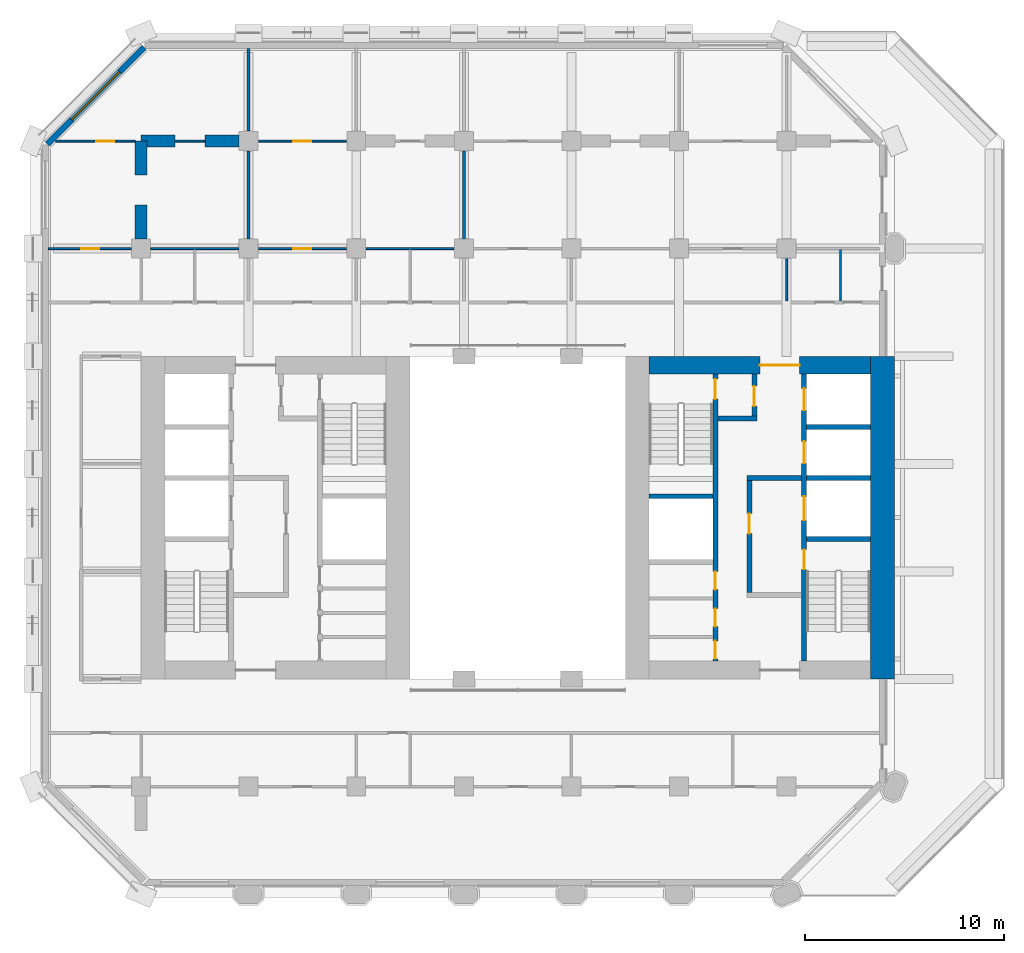
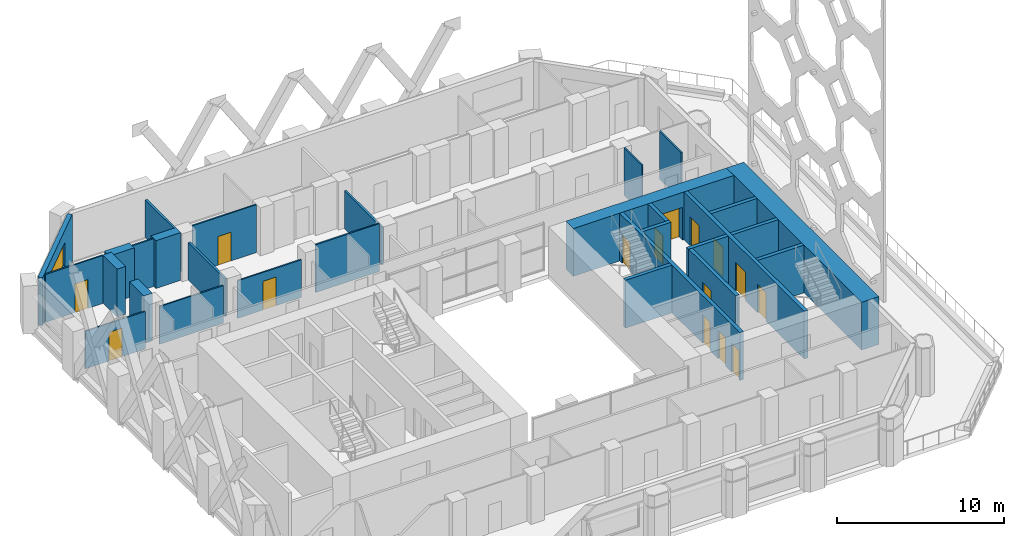
# One storey, part 9 of 14: 29 walls, 15 doors, 1 window, 16 openings.
"""IFC4 building model written with IfcOpenShell, lengths in metres."""

from ifc_helpers import new_model, si_unit, direction, frame, frame_2d, origin, place, context, subcontext, project, spatial, rectangle, extrude, material, layer, layer_set, type_object, element, fill, save


model = new_model("IFC4")

# Units and contexts
model_context = context("Model", 3, precision=1e-05, world=origin(), true_north=direction((0.0, 1.0)))
body_context = subcontext(model_context, "Body", "Model", "MODEL_VIEW")
ifc_project = project(units=[si_unit("LENGTHUNIT", "METRE"), si_unit("AREAUNIT", "SQUARE_METRE"), si_unit("VOLUMEUNIT", "CUBIC_METRE"), si_unit("PLANEANGLEUNIT", "RADIAN"), si_unit("MASSUNIT", "GRAM", prefix="KILO")], contexts=[model_context])

# Site, building, storey
site_placement = place(None, origin())
site = spatial("IfcSite", under=ifc_project, at=site_placement, CompositionType="ELEMENT")
building_placement = place(site_placement, origin())
building = spatial("IfcBuilding", under=site, at=building_placement, Name="Tabaq Tower and Sports Hall", CompositionType="ELEMENT")
storey_placement = place(building_placement, frame((0.0, 0.0, 95.39990234375)))
storey = spatial("IfcBuildingStorey", under=building, at=storey_placement, Name="L22", CompositionType="ELEMENT", Elevation=95.39990234375)

# Wall
ifc_material_1 = material(Name="Concrete C60/75", Category="concrete")
ifc_layer_1 = layer(ifc_material_1, 1.199951171875)
ifc_layer_set_1 = layer_set([ifc_layer_1], Name="Core wall 1200 Concrete C60/75")
wall_type_1 = type_object("IfcWallType", Name="Core wall 1200 Concrete C60/75", PredefinedType="SOLIDWALL", material=ifc_layer_set_1)
wall_1_placement = place(storey_placement, frame((42.60009765625, 32.39990234375, 0.0), z_axis=(0.0, 0.0, 1.0), x_axis=(0.0, -1.0, 0.0)))
element("IfcWall", 1, at=wall_1_placement, inside=storey, type_object=wall_type_1, Name="Core wall E L22", PredefinedType="SOLIDWALL", context=body_context, shape_type="SweptSolid", body=[
    extrude(rectangle(XDim=16.199951171875, YDim=1.199951171875, at=frame_2d((8.10009765625, 0.0))), origin(), (0.0, 0.0, 1.0), 3.5),
])

# Wall, opening, door
ifc_material_2 = material(Name="Concrete C60/75", Category="concrete")
ifc_layer_2 = layer(ifc_material_2, 0.89990234375)
ifc_layer_set_2 = layer_set([ifc_layer_2], Name="Core wall 900 Concrete C60/75")
wall_type_2 = type_object("IfcWallType", Name="Core wall 900 Concrete C60/75", PredefinedType="SOLIDWALL", material=ifc_layer_set_2)
wall_2_placement = place(storey_placement, frame((30.89990234375, 31.949951171875, 0.0), z_axis=(0.0, 0.0, 1.0), x_axis=(1.0, 0.0, 0.0)))
wall_2 = element("IfcWall", 2, at=wall_2_placement, inside=storey, type_object=wall_type_2, Name="Core wall E L22", PredefinedType="SOLIDWALL", context=body_context, shape_type="SweptSolid", body=[
    extrude(rectangle(XDim=11.10009765625, YDim=0.89990234375, at=frame_2d((5.550048828125, 0.0))), origin(), (0.0, 0.0, 1.0), 3.5),
])
opening_1_placement = place(wall_2_placement, frame((5.550048828125, 0.0, 0.0)))
opening_1 = element("IfcOpeningElement", 3, at=opening_1_placement, cuts=wall_2, Name="Opening PD-EL22-02", PredefinedType="OPENING", context=body_context, shape_type="SweptSolid", body=[
    extrude(rectangle(XDim=2.0, YDim=2.39990234375, at=frame_2d((1.0, 1.199951171875))), frame((0.0, 0.449951171875, 0.0), z_axis=(0.0, -1.0, 0.0), x_axis=(1.0, 0.0, 0.0)), (0.0, 0.0, 1.0), 0.89990234375),
])
ifc_material_3 = material(Name="Steel fire door", Category="steel")
door_type_1 = type_object("IfcDoorType", Name="Core entrance door 2000", OperationType="DOUBLE_DOOR_SINGLE_SWING", PredefinedType="DOOR", material=ifc_material_3)
door_1_placement = place(opening_1_placement, origin())
door_1 = element("IfcDoor", 4, at=door_1_placement, inside=storey, type_object=door_type_1, Name="Core entrance north E L22", OperationType="DOUBLE_DOOR_SINGLE_SWING", OverallHeight=2.39990234375, OverallWidth=2.0, PredefinedType="DOOR", context=body_context, shape_type="SweptSolid", body=[
    extrude(rectangle(XDim=2.0, YDim=2.39990234375, at=frame_2d((1.0, 1.199951171875))), frame((0.0, 0.02490234375, 0.0), z_axis=(0.0, -1.0, 0.0), x_axis=(1.0, 0.0, 0.0)), (0.0, 0.0, 1.0), 0.050048828125),
])
fill(opening_1, door_1)

ifc_material_4 = material(Name="Gypsum board on steel studs", Category="steel")
ifc_layer_3 = layer(ifc_material_4, 0.10009765625)
ifc_layer_set_3 = layer_set([ifc_layer_3], Name="Partition 100 Gypsum board")
wall_type_3 = type_object("IfcWallType", Name="Partition 100 Gypsum board", PredefinedType="PARTITIONING", material=ifc_layer_set_3)
wall_3_placement = place(storey_placement, frame((0.7509765625, 37.800048828125, 0.0), z_axis=(0.0, 0.0, 1.0), x_axis=(1.0, 0.0, 0.0)))
wall_3 = element("IfcWall", 5, at=wall_3_placement, inside=storey, type_object=wall_type_3, Name="Partition wall L22", PredefinedType="PARTITIONING", context=body_context, shape_type="SweptSolid", body=[
    extrude(rectangle(XDim=4.154052734375, YDim=0.10009765625, at=frame_2d((2.0771484375, 0.0))), origin(), (0.0, 0.0, 1.0), 2.75),
])
opening_2_placement = place(wall_3_placement, frame((1.648193359375, 0.0, 0.0)))
opening_2 = element("IfcOpeningElement", 6, at=opening_2_placement, cuts=wall_3, Name="Opening L22-025", PredefinedType="OPENING", context=body_context, shape_type="SweptSolid", body=[
    extrude(rectangle(XDim=0.89990234375, YDim=2.10009765625, at=frame_2d((0.449951171875, 1.050048828125))), frame((0.0, 0.050048828125, 0.0), z_axis=(0.0, -1.0, 0.0), x_axis=(1.0, 0.0, 0.0)), (0.0, 0.0, 1.0), 0.10009765625),
])
ifc_material_5 = material(Name="Timber leaf in steel frame", Category="steel")
door_type_2 = type_object("IfcDoorType", Name="Internal door 900 right hand", OperationType="SINGLE_SWING_RIGHT", PredefinedType="DOOR", material=ifc_material_5)
door_2_placement = place(opening_2_placement, origin())
door_2 = element("IfcDoor", 7, at=door_2_placement, inside=storey, type_object=door_type_2, Name="Internal door L22-025", OperationType="SINGLE_SWING_RIGHT", OverallHeight=2.10009765625, OverallWidth=0.89990234375, PredefinedType="DOOR", context=body_context, shape_type="SweptSolid", body=[
    extrude(rectangle(XDim=0.89990234375, YDim=2.10009765625, at=frame_2d((0.449951171875, 1.050048828125))), frame((0.0, 0.02490234375, 0.0), z_axis=(0.0, -1.0, 0.0), x_axis=(1.0, 0.0, 0.0)), (0.0, 0.0, 1.0), 0.050048828125),
])
fill(opening_2, door_2)

# Walls
wall_4_placement = place(storey_placement, frame((10.304931640625, 37.800048828125, 0.0), z_axis=(0.0, 0.0, 1.0), x_axis=(-1.0, 0.0, 0.0)))
element("IfcWall", 8, at=wall_4_placement, inside=storey, type_object=wall_type_3, Name="Partition wall L22", PredefinedType="PARTITIONING", context=body_context, shape_type="SweptSolid", body=[
    extrude(rectangle(XDim=4.409912109375, YDim=0.10009765625, at=frame_2d((2.205078125, 0.0))), origin(), (0.0, 0.0, 1.0), 2.75),
])
wall_5_placement = place(storey_placement, frame((8.612548828125, 43.199951171875, 0.0), z_axis=(0.0, 0.0, 1.0), x_axis=(-1.0, 0.0, 0.0)))
element("IfcWall", 9, at=wall_5_placement, inside=storey, type_object=wall_type_3, Name="Partition wall L22", PredefinedType="PARTITIONING", context=body_context, shape_type="SweptSolid", body=[
    extrude(rectangle(XDim=1.5, YDim=0.10009765625, at=frame_2d((0.75, 0.0))), origin(), (0.0, 0.0, 1.0), 3.5),
])

# Wall, opening, door
wall_6_placement = place(storey_placement, frame((5.09912109375, 43.199951171875, 0.0), z_axis=(0.0, 0.0, 1.0), x_axis=(-1.0, 0.0, 0.0)))
wall_6 = element("IfcWall", 10, at=wall_6_placement, inside=storey, type_object=wall_type_3, Name="Partition wall L22", PredefinedType="PARTITIONING", context=body_context, shape_type="SweptSolid", body=[
    extrude(rectangle(XDim=3.987060546875, YDim=0.10009765625, at=frame_2d((1.99365234375, 0.0))), origin(), (0.0, 0.0, 1.0), 3.5),
])
opening_3_placement = place(wall_6_placement, frame((1.049072265625, 0.0, 0.0)))
opening_3 = element("IfcOpeningElement", 11, at=opening_3_placement, cuts=wall_6, Name="Opening L22-011", PredefinedType="OPENING", context=body_context, shape_type="SweptSolid", body=[
    extrude(rectangle(XDim=0.89990234375, YDim=2.10009765625, at=frame_2d((0.449951171875, 1.050048828125))), frame((0.0, 0.050048828125, 0.0), z_axis=(0.0, -1.0, 0.0), x_axis=(1.0, 0.0, 0.0)), (0.0, 0.0, 1.0), 0.10009765625),
])
ifc_material_6 = material(Name="Timber leaf in steel frame", Category="steel")
door_type_3 = type_object("IfcDoorType", Name="Internal door 900 left hand", OperationType="SINGLE_SWING_LEFT", PredefinedType="DOOR", material=ifc_material_6)
door_3_placement = place(opening_3_placement, origin())
door_3 = element("IfcDoor", 12, at=door_3_placement, inside=storey, type_object=door_type_3, Name="Internal door L22-011", OperationType="SINGLE_SWING_LEFT", OverallHeight=2.10009765625, OverallWidth=0.89990234375, PredefinedType="DOOR", context=body_context, shape_type="SweptSolid", body=[
    extrude(rectangle(XDim=0.89990234375, YDim=2.10009765625, at=frame_2d((0.449951171875, 1.050048828125))), frame((0.0, 0.02490234375, 0.0), z_axis=(0.0, -1.0, 0.0), x_axis=(1.0, 0.0, 0.0)), (0.0, 0.0, 1.0), 0.050048828125),
])
fill(opening_3, door_3)

wall_7_placement = place(storey_placement, frame((15.705078125, 37.800048828125, 0.0), z_axis=(0.0, 0.0, 1.0), x_axis=(-1.0, 0.0, 0.0)))
wall_7 = element("IfcWall", 13, at=wall_7_placement, inside=storey, type_object=wall_type_3, Name="Partition wall L22", PredefinedType="PARTITIONING", context=body_context, shape_type="SweptSolid", body=[
    extrude(rectangle(XDim=4.41015625, YDim=0.10009765625, at=frame_2d((2.205078125, 0.0))), origin(), (0.0, 0.0, 1.0), 2.75),
])
opening_4_placement = place(wall_7_placement, frame((1.7548828125, 0.0, 0.0)))
opening_4 = element("IfcOpeningElement", 14, at=opening_4_placement, cuts=wall_7, Name="Opening L22-026", PredefinedType="OPENING", context=body_context, shape_type="SweptSolid", body=[
    extrude(rectangle(XDim=0.89990234375, YDim=2.10009765625, at=frame_2d((0.449951171875, 1.050048828125))), frame((0.0, 0.050048828125, 0.0), z_axis=(0.0, -1.0, 0.0), x_axis=(1.0, 0.0, 0.0)), (0.0, 0.0, 1.0), 0.10009765625),
])
door_4_placement = place(opening_4_placement, origin())
door_4 = element("IfcDoor", 15, at=door_4_placement, inside=storey, type_object=door_type_3, Name="Internal door L22-026", OperationType="SINGLE_SWING_LEFT", OverallHeight=2.10009765625, OverallWidth=0.89990234375, PredefinedType="DOOR", context=body_context, shape_type="SweptSolid", body=[
    extrude(rectangle(XDim=0.89990234375, YDim=2.10009765625, at=frame_2d((0.449951171875, 1.050048828125))), frame((0.0, 0.02490234375, 0.0), z_axis=(0.0, -1.0, 0.0), x_axis=(1.0, 0.0, 0.0)), (0.0, 0.0, 1.0), 0.050048828125),
])
fill(opening_4, door_4)

# Wall
wall_8_placement = place(storey_placement, frame((21.10498046875, 37.800048828125, 0.0), z_axis=(0.0, 0.0, 1.0), x_axis=(-1.0, 0.0, 0.0)))
element("IfcWall", 16, at=wall_8_placement, inside=storey, type_object=wall_type_3, Name="Partition wall L22", PredefinedType="PARTITIONING", context=body_context, shape_type="SweptSolid", body=[
    extrude(rectangle(XDim=4.409912109375, YDim=0.10009765625, at=frame_2d((2.205078125, 0.0))), origin(), (0.0, 0.0, 1.0), 3.5),
])

# Wall, opening, door
wall_9_placement = place(storey_placement, frame((15.705078125, 43.199951171875, 0.0), z_axis=(0.0, 0.0, 1.0), x_axis=(-1.0, 0.0, 0.0)))
wall_9 = element("IfcWall", 17, at=wall_9_placement, inside=storey, type_object=wall_type_3, Name="Partition wall L22", PredefinedType="PARTITIONING", context=body_context, shape_type="SweptSolid", body=[
    extrude(rectangle(XDim=4.41015625, YDim=0.10009765625, at=frame_2d((2.205078125, 0.0))), origin(), (0.0, 0.0, 1.0), 3.5),
])
opening_5_placement = place(wall_9_placement, frame((1.7548828125, 0.0, 0.0)))
opening_5 = element("IfcOpeningElement", 18, at=opening_5_placement, cuts=wall_9, Name="Opening L22-012", PredefinedType="OPENING", context=body_context, shape_type="SweptSolid", body=[
    extrude(rectangle(XDim=0.89990234375, YDim=2.10009765625, at=frame_2d((0.449951171875, 1.050048828125))), frame((0.0, 0.050048828125, 0.0), z_axis=(0.0, -1.0, 0.0), x_axis=(1.0, 0.0, 0.0)), (0.0, 0.0, 1.0), 0.10009765625),
])
door_5_placement = place(opening_5_placement, origin())
door_5 = element("IfcDoor", 19, at=door_5_placement, inside=storey, type_object=door_type_2, Name="Internal door L22-012", OperationType="SINGLE_SWING_RIGHT", OverallHeight=2.10009765625, OverallWidth=0.89990234375, PredefinedType="DOOR", context=body_context, shape_type="SweptSolid", body=[
    extrude(rectangle(XDim=0.89990234375, YDim=2.10009765625, at=frame_2d((0.449951171875, 1.050048828125))), frame((0.0, 0.02490234375, 0.0), z_axis=(0.0, -1.0, 0.0), x_axis=(1.0, 0.0, 0.0)), (0.0, 0.0, 1.0), 0.050048828125),
])
fill(opening_5, door_5)

# Walls
wall_10_placement = place(storey_placement, frame((37.800048828125, 35.175048828125, 0.0), z_axis=(0.0, 0.0, 1.0), x_axis=(0.0, 1.0, 0.0)))
element("IfcWall", 20, at=wall_10_placement, inside=storey, type_object=wall_type_3, Name="Partition wall L22", PredefinedType="PARTITIONING", context=body_context, shape_type="SweptSolid", body=[
    extrude(rectangle(XDim=2.1298828125, YDim=0.10009765625, at=frame_2d((1.06494140625, 0.0))), origin(), (0.0, 0.0, 1.0), 3.5),
])
wall_11_placement = place(storey_placement, frame((40.5, 35.175048828125, 0.0), z_axis=(0.0, 0.0, 1.0), x_axis=(0.0, 1.0, 0.0)))
element("IfcWall", 21, at=wall_11_placement, inside=storey, type_object=wall_type_3, Name="Partition wall L22", PredefinedType="PARTITIONING", context=body_context, shape_type="SweptSolid", body=[
    extrude(rectangle(XDim=2.574951171875, YDim=0.10009765625, at=frame_2d((1.28759765625, 0.0))), origin(), (0.0, 0.0, 1.0), 3.5),
])
ifc_material_7 = material(Name="Concrete C60/75", Category="concrete")
ifc_layer_4 = layer(ifc_material_7, 0.60009765625)
ifc_layer_set_4 = layer_set([ifc_layer_4], Name="RC TRANSFER WALL 600 C60/75")
wall_type_4 = type_object("IfcWallType", Name="RC TRANSFER WALL 600 C60/75", PredefinedType="SHEAR", material=ifc_layer_set_4)
wall_12_placement = place(storey_placement, frame((5.39990234375, 38.27490234375, 0.0), z_axis=(0.0, 0.0, 1.0), x_axis=(0.0, 1.0, 0.0)))
element("IfcWall", 22, at=wall_12_placement, inside=storey, type_object=wall_type_4, Name="Transfer Wall L22 West 3", PredefinedType="SHEAR", context=body_context, shape_type="SweptSolid", body=[
    extrude(rectangle(XDim=1.712646484375, YDim=0.60009765625, at=frame_2d((0.8564453125, 0.0))), origin(), (0.0, 0.0, 1.0), 3.5),
])
wall_13_placement = place(storey_placement, frame((5.39990234375, 41.487548828125, 0.0), z_axis=(0.0, 0.0, 1.0), x_axis=(0.0, 1.0, 0.0)))
element("IfcWall", 23, at=wall_13_placement, inside=storey, type_object=wall_type_4, Name="Transfer Wall L22 West 4", PredefinedType="SHEAR", context=body_context, shape_type="SweptSolid", body=[
    extrude(rectangle(XDim=1.71240234375, YDim=0.60009765625, at=frame_2d((0.856201171875, 0.0))), origin(), (0.0, 0.0, 1.0), 3.5),
])
wall_14_placement = place(storey_placement, frame((5.39990234375, 43.199951171875, 0.0), z_axis=(0.0, 0.0, 1.0), x_axis=(1.0, 0.0, 0.0)))
element("IfcWall", 24, at=wall_14_placement, inside=storey, type_object=wall_type_4, Name="Transfer Wall L22 North 5", PredefinedType="SHEAR", context=body_context, shape_type="SweptSolid", body=[
    extrude(rectangle(XDim=1.712646484375, YDim=0.60009765625, at=frame_2d((0.8564453125, 0.0))), origin(), (0.0, 0.0, 1.0), 3.5),
])
wall_15_placement = place(storey_placement, frame((8.612548828125, 43.199951171875, 0.0), z_axis=(0.0, 0.0, 1.0), x_axis=(1.0, 0.0, 0.0)))
element("IfcWall", 25, at=wall_15_placement, inside=storey, type_object=wall_type_4, Name="Transfer Wall L22 North 6", PredefinedType="SHEAR", context=body_context, shape_type="SweptSolid", body=[
    extrude(rectangle(XDim=1.71240234375, YDim=0.60009765625, at=frame_2d((0.856201171875, 0.0))), origin(), (0.0, 0.0, 1.0), 3.5),
])
ifc_material_8 = material(Name="Blockwork", Category="masonry")
ifc_layer_5 = layer(ifc_material_8, 0.14990234375)
ifc_layer_set_5 = layer_set([ifc_layer_5], Name="Separating wall 150 Blockwork")
wall_type_5 = type_object("IfcWallType", Name="Separating wall 150 Blockwork", PredefinedType="PARTITIONING", material=ifc_layer_set_5)
wall_16_placement = place(storey_placement, frame((10.800048828125, 38.294921875, 0.0), z_axis=(0.0, 0.0, 1.0), x_axis=(0.0, 1.0, 0.0)))
element("IfcWall", 26, at=wall_16_placement, inside=storey, type_object=wall_type_5, Name="Separating wall L22", PredefinedType="PARTITIONING", context=body_context, shape_type="SweptSolid", body=[
    extrude(rectangle(XDim=4.41015625, YDim=0.14990234375, at=frame_2d((2.205078125, 0.0))), origin(), (0.0, 0.0, 1.0), 2.75),
])
wall_17_placement = place(storey_placement, frame((10.800048828125, 43.695068359375, 0.0), z_axis=(0.0, 0.0, 1.0), x_axis=(0.0, 1.0, 0.0)))
element("IfcWall", 27, at=wall_17_placement, inside=storey, type_object=wall_type_5, Name="Separating wall L22", PredefinedType="PARTITIONING", context=body_context, shape_type="SweptSolid", body=[
    extrude(rectangle(XDim=4.154052734375, YDim=0.14990234375, at=frame_2d((2.0771484375, 0.0))), origin(), (0.0, 0.0, 1.0), 2.75),
])
wall_18_placement = place(storey_placement, frame((21.60009765625, 38.294921875, 0.0), z_axis=(0.0, 0.0, 1.0), x_axis=(0.0, 1.0, 0.0)))
element("IfcWall", 28, at=wall_18_placement, inside=storey, type_object=wall_type_5, Name="Separating wall L22", PredefinedType="PARTITIONING", context=body_context, shape_type="SweptSolid", body=[
    extrude(rectangle(XDim=4.41015625, YDim=0.14990234375, at=frame_2d((2.205078125, 0.0))), origin(), (0.0, 0.0, 1.0), 2.75),
])

# Wall, openings, doors
ifc_material_9 = material(Name="Concrete C40/50", Category="concrete")
ifc_layer_6 = layer(ifc_material_9, 0.25)
ifc_layer_set_6 = layer_set([ifc_layer_6], Name="Shaft and stair wall 250 Concrete C40/50")
wall_type_6 = type_object("IfcWallType", Name="Shaft and stair wall 250 Concrete C40/50", PredefinedType="SOLIDWALL", material=ifc_layer_set_6)
wall_19_placement = place(storey_placement, frame((38.675048828125, 17.10009765625, 0.0), z_axis=(0.0, 0.0, 1.0), x_axis=(0.0, 1.0, 0.0)))
wall_19 = element("IfcWall", 29, at=wall_19_placement, inside=storey, type_object=wall_type_6, Name="Shaft wall E L22", PredefinedType="SOLIDWALL", context=body_context, shape_type="SweptSolid", body=[
    extrude(rectangle(XDim=14.39990234375, YDim=0.25, at=frame_2d((7.199951171875, 0.0))), origin(), (0.0, 0.0, 1.0), 3.5),
])
opening_6_placement = place(wall_19_placement, frame((4.60009765625, 0.0, 0.0)))
opening_6 = element("IfcOpeningElement", 30, at=opening_6_placement, cuts=wall_19, Name="Opening SD-EL22-03", PredefinedType="OPENING", context=body_context, shape_type="SweptSolid", body=[
    extrude(rectangle(XDim=1.0, YDim=2.10009765625, at=frame_2d((0.5, 1.050048828125))), frame((0.0, 0.125, 0.0), z_axis=(0.0, -1.0, 0.0), x_axis=(1.0, 0.0, 0.0)), (0.0, 0.0, 1.0), 0.25),
])
opening_7_placement = place(wall_19_placement, frame((7.0625, 0.0, 0.0)))
opening_7 = element("IfcOpeningElement", 31, at=opening_7_placement, cuts=wall_19, Name="Opening LD-FF2-L22", PredefinedType="OPENING", context=body_context, shape_type="SweptSolid", body=[
    extrude(rectangle(XDim=1.199951171875, YDim=2.10009765625, at=frame_2d((0.60009765625, 1.050048828125))), frame((0.0, 0.125, 0.0), z_axis=(0.0, -1.0, 0.0), x_axis=(1.0, 0.0, 0.0)), (0.0, 0.0, 1.0), 0.25),
])
opening_8_placement = place(wall_19_placement, frame((9.925048828125, 0.0, 0.0)))
opening_8 = element("IfcOpeningElement", 32, at=opening_8_placement, cuts=wall_19, Name="Opening LD-LR3-L22", PredefinedType="OPENING", context=body_context, shape_type="SweptSolid", body=[
    extrude(rectangle(XDim=1.10009765625, YDim=2.10009765625, at=frame_2d((0.550048828125, 1.050048828125))), frame((0.0, 0.125, 0.0), z_axis=(0.0, -1.0, 0.0), x_axis=(1.0, 0.0, 0.0)), (0.0, 0.0, 1.0), 0.25),
])
opening_9_placement = place(wall_19_placement, frame((12.58740234375, 0.0, 0.0)))
opening_9 = element("IfcOpeningElement", 33, at=opening_9_placement, cuts=wall_19, Name="Opening LD-LR4-L22", PredefinedType="OPENING", context=body_context, shape_type="SweptSolid", body=[
    extrude(rectangle(XDim=1.10009765625, YDim=2.10009765625, at=frame_2d((0.550048828125, 1.050048828125))), frame((0.0, 0.125, 0.0), z_axis=(0.0, -1.0, 0.0), x_axis=(1.0, 0.0, 0.0)), (0.0, 0.0, 1.0), 0.25),
])
ifc_material_10 = material(Name="Stainless steel", Category="steel")
door_type_4 = type_object("IfcDoorType", Name="Lift landing door 1100", OperationType="DOUBLE_DOOR_SLIDING", PredefinedType="DOOR", material=ifc_material_10)
door_6_placement = place(opening_8_placement, origin())
door_6 = element("IfcDoor", 34, at=door_6_placement, inside=storey, type_object=door_type_4, Name="Lift landing door LR3 E L22", OperationType="DOUBLE_DOOR_SLIDING", OverallHeight=2.10009765625, OverallWidth=1.10009765625, PredefinedType="DOOR", context=body_context, shape_type="SweptSolid", body=[
    extrude(rectangle(XDim=1.10009765625, YDim=2.10009765625, at=frame_2d((0.550048828125, 1.050048828125))), frame((0.0, 0.02490234375, 0.0), z_axis=(0.0, -1.0, 0.0), x_axis=(1.0, 0.0, 0.0)), (0.0, 0.0, 1.0), 0.050048828125),
])
fill(opening_8, door_6)
door_7_placement = place(opening_9_placement, origin())
door_7 = element("IfcDoor", 35, at=door_7_placement, inside=storey, type_object=door_type_4, Name="Lift landing door LR4 E L22", OperationType="DOUBLE_DOOR_SLIDING", OverallHeight=2.10009765625, OverallWidth=1.10009765625, PredefinedType="DOOR", context=body_context, shape_type="SweptSolid", body=[
    extrude(rectangle(XDim=1.10009765625, YDim=2.10009765625, at=frame_2d((0.550048828125, 1.050048828125))), frame((0.0, 0.02490234375, 0.0), z_axis=(0.0, -1.0, 0.0), x_axis=(1.0, 0.0, 0.0)), (0.0, 0.0, 1.0), 0.050048828125),
])
fill(opening_9, door_7)
ifc_material_11 = material(Name="Stainless steel", Category="steel")
door_type_5 = type_object("IfcDoorType", Name="Lift landing door 1200", OperationType="DOUBLE_DOOR_SLIDING", PredefinedType="DOOR", material=ifc_material_11)
door_8_placement = place(opening_7_placement, origin())
door_8 = element("IfcDoor", 36, at=door_8_placement, inside=storey, type_object=door_type_5, Name="Lift landing door FF2 E L22", OperationType="DOUBLE_DOOR_SLIDING", OverallHeight=2.10009765625, OverallWidth=1.199951171875, PredefinedType="DOOR", context=body_context, shape_type="SweptSolid", body=[
    extrude(rectangle(XDim=1.199951171875, YDim=2.10009765625, at=frame_2d((0.60009765625, 1.050048828125))), frame((0.0, 0.02490234375, 0.0), z_axis=(0.0, -1.0, 0.0), x_axis=(1.0, 0.0, 0.0)), (0.0, 0.0, 1.0), 0.050048828125),
])
fill(opening_7, door_8)
ifc_material_12 = material(Name="Steel fire door", Category="steel")
door_type_6 = type_object("IfcDoorType", Name="Stair door 1000", OperationType="SINGLE_SWING_LEFT", PredefinedType="DOOR", material=ifc_material_12)
door_9_placement = place(opening_6_placement, origin())
door_9 = element("IfcDoor", 37, at=door_9_placement, inside=storey, type_object=door_type_6, Name="Stair door ST3 E L22", OperationType="SINGLE_SWING_LEFT", OverallHeight=2.10009765625, OverallWidth=1.0, PredefinedType="DOOR", context=body_context, shape_type="SweptSolid", body=[
    extrude(rectangle(XDim=1.0, YDim=2.10009765625, at=frame_2d((0.5, 1.050048828125))), frame((0.0, 0.02490234375, 0.0), z_axis=(0.0, -1.0, 0.0), x_axis=(1.0, 0.0, 0.0)), (0.0, 0.0, 1.0), 0.050048828125),
])
fill(opening_6, door_9)

wall_20_placement = place(storey_placement, frame((34.22509765625, 17.10009765625, 0.0), z_axis=(0.0, 0.0, 1.0), x_axis=(0.0, 1.0, 0.0)))
wall_20 = element("IfcWall", 38, at=wall_20_placement, inside=storey, type_object=wall_type_6, Name="Shaft wall E L22", PredefinedType="SOLIDWALL", context=body_context, shape_type="SweptSolid", body=[
    extrude(rectangle(XDim=14.39990234375, YDim=0.25, at=frame_2d((7.199951171875, 0.0))), origin(), (0.0, 0.0, 1.0), 3.5),
])
opening_10_placement = place(wall_20_placement, frame((13.14990234375, 0.0, 0.0)))
opening_10 = element("IfcOpeningElement", 39, at=opening_10_placement, cuts=wall_20, Name="Opening SD-EL22-05", PredefinedType="OPENING", context=body_context, shape_type="SweptSolid", body=[
    extrude(rectangle(XDim=1.0, YDim=2.10009765625, at=frame_2d((0.5, 1.050048828125))), frame((0.0, 0.125, 0.0), z_axis=(0.0, -1.0, 0.0), x_axis=(1.0, 0.0, 0.0)), (0.0, 0.0, 1.0), 0.25),
])
opening_11_placement = place(wall_20_placement, frame((0.118408203125, 0.0, 0.0)))
opening_11 = element("IfcOpeningElement", 40, at=opening_11_placement, cuts=wall_20, Name="Opening RD-EL22-10", PredefinedType="OPENING", context=body_context, shape_type="SweptSolid", body=[
    extrude(rectangle(XDim=0.89990234375, YDim=2.10009765625, at=frame_2d((0.449951171875, 1.050048828125))), frame((0.0, 0.125, 0.0), z_axis=(0.0, -1.0, 0.0), x_axis=(1.0, 0.0, 0.0)), (0.0, 0.0, 1.0), 0.25),
])
opening_12_placement = place(wall_20_placement, frame((1.73193359375, 0.0, 0.0)))
opening_12 = element("IfcOpeningElement", 41, at=opening_12_placement, cuts=wall_20, Name="Opening RD-EL22-11", PredefinedType="OPENING", context=body_context, shape_type="SweptSolid", body=[
    extrude(rectangle(XDim=0.89990234375, YDim=2.10009765625, at=frame_2d((0.449951171875, 1.050048828125))), frame((0.0, 0.125, 0.0), z_axis=(0.0, -1.0, 0.0), x_axis=(1.0, 0.0, 0.0)), (0.0, 0.0, 1.0), 0.25),
])
opening_13_placement = place(wall_20_placement, frame((3.58837890625, 0.0, 0.0)))
opening_13 = element("IfcOpeningElement", 42, at=opening_13_placement, cuts=wall_20, Name="Opening RD-EL22-12", PredefinedType="OPENING", context=body_context, shape_type="SweptSolid", body=[
    extrude(rectangle(XDim=0.89990234375, YDim=2.10009765625, at=frame_2d((0.449951171875, 1.050048828125))), frame((0.0, 0.125, 0.0), z_axis=(0.0, -1.0, 0.0), x_axis=(1.0, 0.0, 0.0)), (0.0, 0.0, 1.0), 0.25),
])
ifc_material_13 = material(Name="Steel fire door", Category="steel")
door_type_7 = type_object("IfcDoorType", Name="Core room door 900", OperationType="SINGLE_SWING_LEFT", PredefinedType="DOOR", material=ifc_material_13)
door_10_placement = place(opening_11_placement, origin())
door_10 = element("IfcDoor", 43, at=door_10_placement, inside=storey, type_object=door_type_7, Name="Door Electrical Riser Room E L22", OperationType="SINGLE_SWING_LEFT", OverallHeight=2.10009765625, OverallWidth=0.89990234375, PredefinedType="DOOR", context=body_context, shape_type="SweptSolid", body=[
    extrude(rectangle(XDim=0.89990234375, YDim=2.10009765625, at=frame_2d((0.449951171875, 1.050048828125))), frame((0.0, 0.02490234375, 0.0), z_axis=(0.0, -1.0, 0.0), x_axis=(1.0, 0.0, 0.0)), (0.0, 0.0, 1.0), 0.050048828125),
])
fill(opening_11, door_10)
door_11_placement = place(opening_12_placement, origin())
door_11 = element("IfcDoor", 44, at=door_11_placement, inside=storey, type_object=door_type_7, Name="Door Unisex WC E L22", OperationType="SINGLE_SWING_LEFT", OverallHeight=2.10009765625, OverallWidth=0.89990234375, PredefinedType="DOOR", context=body_context, shape_type="SweptSolid", body=[
    extrude(rectangle(XDim=0.89990234375, YDim=2.10009765625, at=frame_2d((0.449951171875, 1.050048828125))), frame((0.0, 0.02490234375, 0.0), z_axis=(0.0, -1.0, 0.0), x_axis=(1.0, 0.0, 0.0)), (0.0, 0.0, 1.0), 0.050048828125),
])
fill(opening_12, door_11)
door_12_placement = place(opening_13_placement, origin())
door_12 = element("IfcDoor", 45, at=door_12_placement, inside=storey, type_object=door_type_7, Name="Door Accessible WC E L22", OperationType="SINGLE_SWING_LEFT", OverallHeight=2.10009765625, OverallWidth=0.89990234375, PredefinedType="DOOR", context=body_context, shape_type="SweptSolid", body=[
    extrude(rectangle(XDim=0.89990234375, YDim=2.10009765625, at=frame_2d((0.449951171875, 1.050048828125))), frame((0.0, 0.02490234375, 0.0), z_axis=(0.0, -1.0, 0.0), x_axis=(1.0, 0.0, 0.0)), (0.0, 0.0, 1.0), 0.050048828125),
])
fill(opening_13, door_12)
door_13_placement = place(opening_10_placement, origin())
door_13 = element("IfcDoor", 46, at=door_13_placement, inside=storey, type_object=door_type_6, Name="Stair door ST4 E L22", OperationType="SINGLE_SWING_LEFT", OverallHeight=2.10009765625, OverallWidth=1.0, PredefinedType="DOOR", context=body_context, shape_type="SweptSolid", body=[
    extrude(rectangle(XDim=1.0, YDim=2.10009765625, at=frame_2d((0.5, 1.050048828125))), frame((0.0, 0.02490234375, 0.0), z_axis=(0.0, -1.0, 0.0), x_axis=(1.0, 0.0, 0.0)), (0.0, 0.0, 1.0), 0.050048828125),
])
fill(opening_10, door_13)

# Walls
wall_21_placement = place(storey_placement, frame((38.800048828125, 23.22509765625, 0.0), z_axis=(0.0, 0.0, 1.0), x_axis=(1.0, 0.0, 0.0)))
element("IfcWall", 47, at=wall_21_placement, inside=storey, type_object=wall_type_6, Name="Stair enclosure wall E L22", PredefinedType="SOLIDWALL", context=body_context, shape_type="SweptSolid", body=[
    extrude(rectangle(XDim=3.199951171875, YDim=0.25, at=frame_2d((1.60009765625, 0.0))), origin(), (0.0, 0.0, 1.0), 3.5),
])
wall_22_placement = place(storey_placement, frame((30.89990234375, 25.375, 0.0), z_axis=(0.0, 0.0, 1.0), x_axis=(1.0, 0.0, 0.0)))
element("IfcWall", 48, at=wall_22_placement, inside=storey, type_object=wall_type_6, Name="Stair enclosure wall E L22", PredefinedType="SOLIDWALL", context=body_context, shape_type="SweptSolid", body=[
    extrude(rectangle(XDim=3.2001953125, YDim=0.25, at=frame_2d((1.60009765625, 0.0))), origin(), (0.0, 0.0, 1.0), 3.5),
])
wall_23_placement = place(storey_placement, frame((38.800048828125, 26.300048828125, 0.0), z_axis=(0.0, 0.0, 1.0), x_axis=(1.0, 0.0, 0.0)))
element("IfcWall", 49, at=wall_23_placement, inside=storey, type_object=wall_type_6, Name="Shaft wall E L22", PredefinedType="SOLIDWALL", context=body_context, shape_type="SweptSolid", body=[
    extrude(rectangle(XDim=3.199951171875, YDim=0.25, at=frame_2d((1.60009765625, 0.0))), origin(), (0.0, 0.0, 1.0), 3.5),
])
wall_24_placement = place(storey_placement, frame((35.800048828125, 26.300048828125, 0.0), z_axis=(0.0, 0.0, 1.0), x_axis=(1.0, 0.0, 0.0)))
element("IfcWall", 50, at=wall_24_placement, inside=storey, type_object=wall_type_6, Name="Fire-fighting lobby wall E L22", PredefinedType="SOLIDWALL", context=body_context, shape_type="SweptSolid", body=[
    extrude(rectangle(XDim=2.75, YDim=0.25, at=frame_2d((1.375, 0.0))), origin(), (0.0, 0.0, 1.0), 3.5),
])

# Wall, opening, door
wall_25_placement = place(storey_placement, frame((36.175048828125, 29.39990234375, 0.0), z_axis=(0.0, 0.0, 1.0), x_axis=(0.0, 1.0, 0.0)))
wall_25 = element("IfcWall", 51, at=wall_25_placement, inside=storey, type_object=wall_type_6, Name="Fire-fighting lobby wall E L22", PredefinedType="SOLIDWALL", context=body_context, shape_type="SweptSolid", body=[
    extrude(rectangle(XDim=2.10009765625, YDim=0.25, at=frame_2d((1.050048828125, 0.0))), origin(), (0.0, 0.0, 1.0), 3.5),
])
opening_14_placement = place(wall_25_placement, frame((0.5, 0.0, 0.0)))
opening_14 = element("IfcOpeningElement", 52, at=opening_14_placement, cuts=wall_25, Name="Opening FD-EL22-06", PredefinedType="OPENING", context=body_context, shape_type="SweptSolid", body=[
    extrude(rectangle(XDim=1.0, YDim=2.10009765625, at=frame_2d((0.5, 1.050048828125))), frame((0.0, 0.125, 0.0), z_axis=(0.0, -1.0, 0.0), x_axis=(1.0, 0.0, 0.0)), (0.0, 0.0, 1.0), 0.25),
])
ifc_material_14 = material(Name="Steel fire door", Category="steel")
door_type_8 = type_object("IfcDoorType", Name="Fire-fighting lobby door 1000", OperationType="SINGLE_SWING_LEFT", PredefinedType="DOOR", material=ifc_material_14)
door_14_placement = place(opening_14_placement, origin())
door_14 = element("IfcDoor", 53, at=door_14_placement, inside=storey, type_object=door_type_8, Name="Stair lobby door E L22", OperationType="SINGLE_SWING_LEFT", OverallHeight=2.10009765625, OverallWidth=1.0, PredefinedType="DOOR", context=body_context, shape_type="SweptSolid", body=[
    extrude(rectangle(XDim=1.0, YDim=2.10009765625, at=frame_2d((0.5, 1.050048828125))), frame((0.0, 0.02490234375, 0.0), z_axis=(0.0, -1.0, 0.0), x_axis=(1.0, 0.0, 0.0)), (0.0, 0.0, 1.0), 0.050048828125),
])
fill(opening_14, door_14)

# Wall
wall_26_placement = place(storey_placement, frame((34.35009765625, 29.27490234375, 0.0), z_axis=(0.0, 0.0, 1.0), x_axis=(1.0, 0.0, 0.0)))
element("IfcWall", 54, at=wall_26_placement, inside=storey, type_object=wall_type_6, Name="Fire-fighting lobby wall E L22", PredefinedType="SOLIDWALL", context=body_context, shape_type="SweptSolid", body=[
    extrude(rectangle(XDim=1.949951171875, YDim=0.25, at=frame_2d((0.97509765625, 0.0))), origin(), (0.0, 0.0, 1.0), 3.5),
])

# Wall, opening, door
wall_27_placement = place(storey_placement, frame((35.925048828125, 20.550048828125, 0.0), z_axis=(0.0, 0.0, 1.0), x_axis=(0.0, 1.0, 0.0)))
wall_27 = element("IfcWall", 55, at=wall_27_placement, inside=storey, type_object=wall_type_6, Name="Fire-fighting lobby wall E L22", PredefinedType="SOLIDWALL", context=body_context, shape_type="SweptSolid", body=[
    extrude(rectangle(XDim=5.625, YDim=0.25, at=frame_2d((2.8125, 0.0))), origin(), (0.0, 0.0, 1.0), 3.5),
])
opening_15_placement = place(wall_27_placement, frame((2.949951171875, 0.0, 0.0)))
opening_15 = element("IfcOpeningElement", 56, at=opening_15_placement, cuts=wall_27, Name="Opening FD-EL22-04", PredefinedType="OPENING", context=body_context, shape_type="SweptSolid", body=[
    extrude(rectangle(XDim=1.0, YDim=2.10009765625, at=frame_2d((0.5, 1.050048828125))), frame((0.0, 0.125, 0.0), z_axis=(0.0, -1.0, 0.0), x_axis=(1.0, 0.0, 0.0)), (0.0, 0.0, 1.0), 0.25),
])
door_15_placement = place(opening_15_placement, origin())
door_15 = element("IfcDoor", 57, at=door_15_placement, inside=storey, type_object=door_type_8, Name="Fire-fighting lobby door E L22", OperationType="SINGLE_SWING_LEFT", OverallHeight=2.10009765625, OverallWidth=1.0, PredefinedType="DOOR", context=body_context, shape_type="SweptSolid", body=[
    extrude(rectangle(XDim=1.0, YDim=2.10009765625, at=frame_2d((0.5, 1.050048828125))), frame((0.0, 0.02490234375, 0.0), z_axis=(0.0, -1.0, 0.0), x_axis=(1.0, 0.0, 0.0)), (0.0, 0.0, 1.0), 0.050048828125),
])
fill(opening_15, door_15)

# Wall
wall_28_placement = place(storey_placement, frame((38.800048828125, 28.85009765625, 0.0), z_axis=(0.0, 0.0, 1.0), x_axis=(1.0, 0.0, 0.0)))
element("IfcWall", 58, at=wall_28_placement, inside=storey, type_object=wall_type_6, Name="Shaft wall E L22", PredefinedType="SOLIDWALL", context=body_context, shape_type="SweptSolid", body=[
    extrude(rectangle(XDim=3.199951171875, YDim=0.25, at=frame_2d((1.60009765625, 0.0))), origin(), (0.0, 0.0, 1.0), 3.5),
])

# Wall, opening, window
ifc_material_15 = material(Name="White precast concrete C60/75", Category="concrete")
ifc_layer_7 = layer(ifc_material_15, 0.300048828125)
ifc_layer_set_7 = layer_set([ifc_layer_7], Name="White precast concrete C60/75 external wall 300")
wall_type_7 = type_object("IfcWallType", Name="White precast concrete C60/75 external wall 300", PredefinedType="SOLIDWALL", material=ifc_layer_set_7)
wall_29_placement = place(storey_placement, frame((5.549560546875, 47.901123046875, 0.0), z_axis=(0.0, 0.0, 1.0), x_axis=(-0.707106781187, -0.707106781187, 0.0)))
wall_29 = element("IfcWall", 59, at=wall_29_placement, inside=storey, type_object=wall_type_7, Name="External Wall L22 NW", PredefinedType="SOLIDWALL", context=body_context, shape_type="SweptSolid", body=[
    extrude(rectangle(XDim=6.85986328125, YDim=0.300048828125, at=frame_2d((3.429931640625, 0.0))), origin(), (0.0, 0.0, 1.0), 3.5),
])
opening_16_placement = place(wall_29_placement, frame((1.729736328125, 0.0, 0.89990234375)))
opening_16 = element("IfcOpeningElement", 60, at=opening_16_placement, cuts=wall_29, Name="Opening W1A", PredefinedType="OPENING", context=body_context, shape_type="SweptSolid", body=[
    extrude(rectangle(XDim=3.39990234375, YDim=1.699951171875, at=frame_2d((1.699951171875, 0.85009765625))), frame((0.0, 0.16015625, 0.0), z_axis=(0.0, -1.0, 0.0), x_axis=(1.0, 0.0, 0.0)), (0.0, 0.0, 1.0), 0.320068359375),
])
ifc_material_16 = material(Name="Aluminium framed clear glazing", Category="aluminium")
window_type = type_object("IfcWindowType", Name="Window W1A", PartitioningType="SINGLE_PANEL", PredefinedType="WINDOW", material=ifc_material_16)
window_placement = place(opening_16_placement, origin())
window = element("IfcWindow", 61, at=window_placement, inside=storey, type_object=window_type, Name="Window W1A L22", OverallHeight=1.699951171875, OverallWidth=3.39990234375, PartitioningType="SINGLE_PANEL", PredefinedType="WINDOW", context=body_context, shape_type="SweptSolid", body=[
    extrude(rectangle(XDim=3.39990234375, YDim=1.699951171875, at=frame_2d((1.699951171875, 0.85009765625))), frame((0.0, 0.030029296875, 0.0), z_axis=(0.0, -1.0, 0.0), x_axis=(1.0, 0.0, 0.0)), (0.0, 0.0, 1.0), 0.06005859375),
])
fill(opening_16, window)

save(model, "model.ifc")
